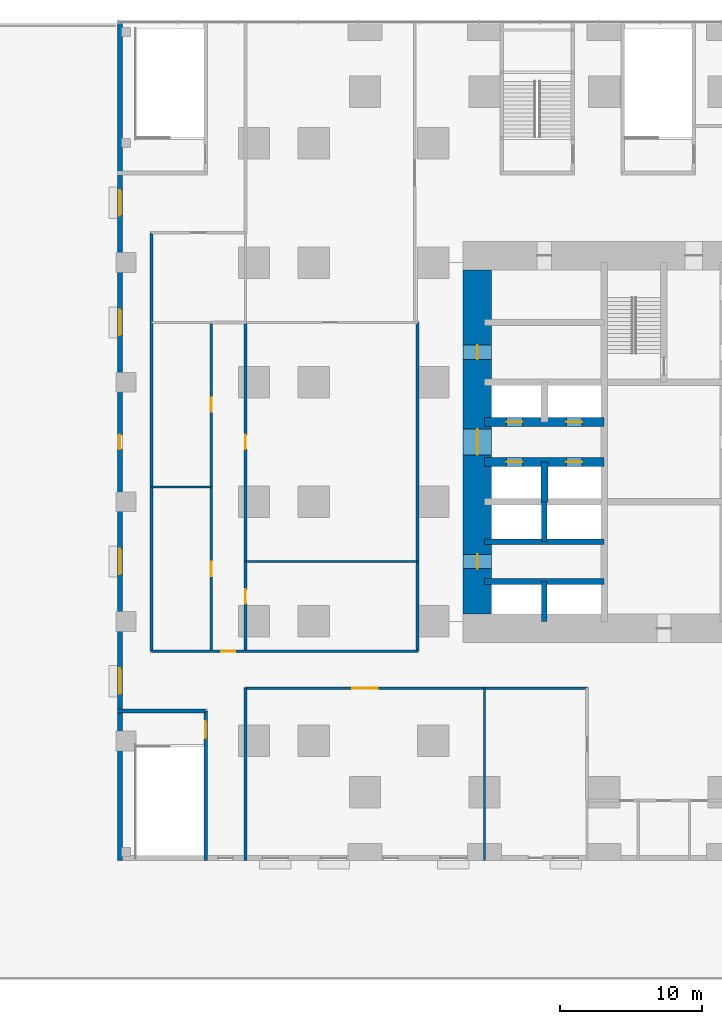
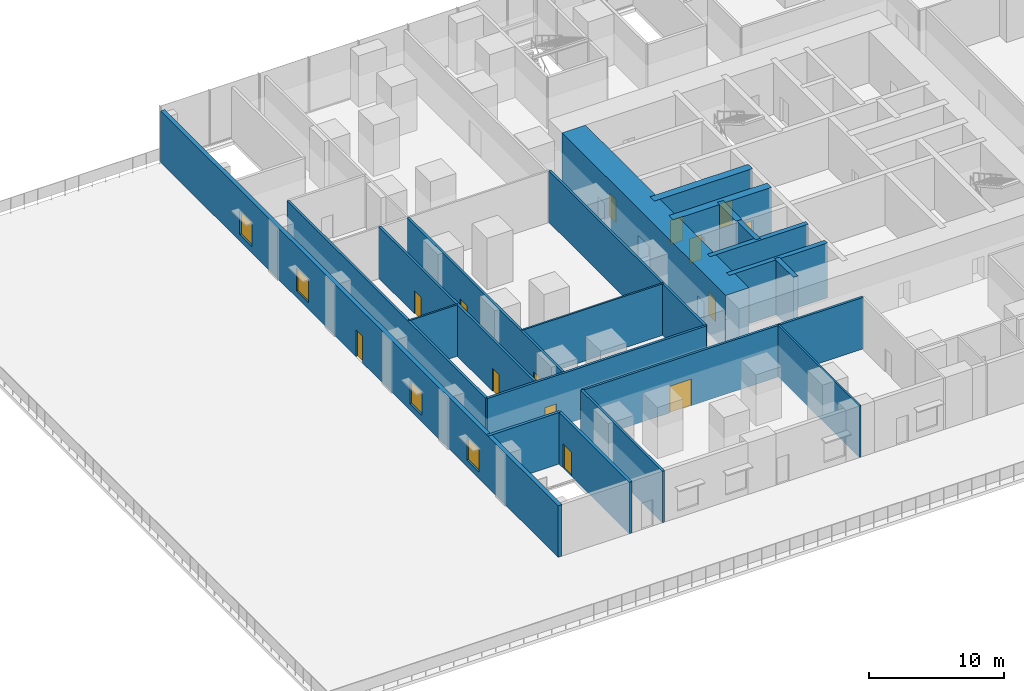
# One storey, part 11 of 18: 21 walls, 15 doors, 4 windows, 19 openings.
"""IFC4 building model written with IfcOpenShell, lengths in metres."""

from ifc_helpers import new_model, si_unit, direction, frame, frame_2d, origin, place, context, subcontext, project, spatial, rectangle, extrude, material, layer, layer_set, type_object, element, fill, save


model = new_model("IFC4")

# Units and contexts
model_context = context("Model", 3, precision=1e-05, world=origin(), true_north=direction((0.0, 1.0)))
body_context = subcontext(model_context, "Body", "Model", "MODEL_VIEW")
ifc_project = project(units=[si_unit("LENGTHUNIT", "METRE"), si_unit("AREAUNIT", "SQUARE_METRE"), si_unit("VOLUMEUNIT", "CUBIC_METRE"), si_unit("PLANEANGLEUNIT", "RADIAN"), si_unit("MASSUNIT", "GRAM", prefix="KILO")], contexts=[model_context])

# Site, building, storey
site_placement = place(None, origin())
site = spatial("IfcSite", under=ifc_project, at=site_placement, CompositionType="ELEMENT")
building_placement = place(site_placement, origin())
building = spatial("IfcBuilding", under=site, at=building_placement, Name="Dunama Terrace Hotel", CompositionType="ELEMENT")
storey_placement = place(building_placement, frame((0.0, 0.0, 17.0)))
storey = spatial("IfcBuildingStorey", under=building, at=storey_placement, Name="L03", CompositionType="ELEMENT", Elevation=17.0)

# Walls
ifc_material_1 = material(Name="Concrete C50/60", Category="concrete")
ifc_layer_1 = layer(ifc_material_1, 0.39990234375)
ifc_layer_set_1 = layer_set([ifc_layer_1], Name="Core inner wall 400")
wall_type_1 = type_object("IfcWallType", Name="Core inner wall 400", PredefinedType="SHEAR", material=ifc_layer_set_1)
for number, where, z_axis, x_axis, name in (
    (1, (21.0, 16.800048828125, -0.300048828125), (0.0, 0.0, 1.0), (0.0, 1.0, 0.0), "Core inner wall 400 L03"),
    (2, (21.0, 22.39990234375, -0.300048828125), (0.0, 0.0, 1.0), (0.0, 1.0, 0.0), "Core inner wall 400 L03"),
):
    element("IfcWall", number, at=place(storey_placement, frame(where, z_axis=z_axis, x_axis=x_axis)), inside=storey, type_object=wall_type_1, Name=name, PredefinedType="SHEAR", context=body_context, shape_type="SweptSolid", body=[
        extrude(rectangle(XDim=2.800048828125, YDim=0.39990234375, at=frame_2d((1.39990234375, 0.0))), origin(), (0.0, 0.0, 1.0), 4.949951171875),
    ])
for number, where, z_axis, x_axis, name in (
    (3, (16.800048828125, 19.60009765625, -0.300048828125), (0.0, 0.0, 1.0), (1.0, 0.0, 0.0), "Core inner wall 400 L03"),
    (4, (16.800048828125, 22.39990234375, -0.300048828125), (0.0, 0.0, 1.0), (1.0, 0.0, 0.0), "Core inner wall 400 L03"),
):
    element("IfcWall", number, at=place(storey_placement, frame(where, z_axis=z_axis, x_axis=x_axis)), inside=storey, type_object=wall_type_1, Name=name, PredefinedType="SHEAR", context=body_context, shape_type="SweptSolid", body=[
        extrude(rectangle(XDim=8.39990234375, YDim=0.39990234375, at=frame_2d((4.199951171875, 0.0))), origin(), (0.0, 0.0, 1.0), 4.949951171875),
    ])
ifc_material_2 = material(Name="Concrete C50/60", Category="concrete")
ifc_layer_2 = layer(ifc_material_2, 0.5)
ifc_layer_set_2 = layer_set([ifc_layer_2], Name="Core inner wall 500")
wall_type_2 = type_object("IfcWallType", Name="Core inner wall 500", PredefinedType="SHEAR", material=ifc_layer_set_2)
wall_1_placement = place(storey_placement, frame((21.0, 25.199951171875, -0.300048828125), z_axis=(0.0, 0.0, 1.0), x_axis=(0.0, 1.0, 0.0)))
element("IfcWall", 5, at=wall_1_placement, inside=storey, type_object=wall_type_2, Name="Core inner wall 500 L03", PredefinedType="SHEAR", context=body_context, shape_type="SweptSolid", body=[
    extrude(rectangle(XDim=2.800048828125, YDim=0.5, at=frame_2d((1.39990234375, 0.0))), origin(), (0.0, 0.0, 1.0), 4.949951171875),
])

# Wall, openings, doors
ifc_material_3 = material(Name="Concrete C50/60", Category="concrete")
ifc_layer_3 = layer(ifc_material_3, 0.64990234375)
ifc_layer_set_3 = layer_set([ifc_layer_3], Name="Core inner wall 650")
wall_type_3 = type_object("IfcWallType", Name="Core inner wall 650", PredefinedType="SHEAR", material=ifc_layer_set_3)
wall_2_placement = place(storey_placement, frame((16.800048828125, 28.0, -0.300048828125), z_axis=(0.0, 0.0, 1.0), x_axis=(1.0, 0.0, 0.0)))
wall_2 = element("IfcWall", 6, at=wall_2_placement, inside=storey, type_object=wall_type_3, Name="Core inner wall 650 L03", PredefinedType="SHEAR", context=body_context, shape_type="SweptSolid", body=[
    extrude(rectangle(XDim=8.39990234375, YDim=0.64990234375, at=frame_2d((4.199951171875, 0.0))), origin(), (0.0, 0.0, 1.0), 4.949951171875),
])
opening_1_placement = place(wall_2_placement, frame((1.550048828125, 0.0, 0.300048828125)))
opening_1 = element("IfcOpeningElement", 7, at=opening_1_placement, cuts=wall_2, Name="Opening L03-012", PredefinedType="OPENING", context=body_context, shape_type="SweptSolid", body=[
    extrude(rectangle(XDim=1.10009765625, YDim=2.199951171875, at=frame_2d((0.550048828125, 1.10009765625))), frame((0.0, 0.3349609375, 0.0), z_axis=(0.0, -1.0, 0.0), x_axis=(1.0, 0.0, 0.0)), (0.0, 0.0, 1.0), 0.669921875),
])
opening_2_placement = place(wall_2_placement, frame((5.75, 0.0, 0.300048828125)))
opening_2 = element("IfcOpeningElement", 8, at=opening_2_placement, cuts=wall_2, Name="Opening L03-013", PredefinedType="OPENING", context=body_context, shape_type="SweptSolid", body=[
    extrude(rectangle(XDim=1.10009765625, YDim=2.199951171875, at=frame_2d((0.550048828125, 1.10009765625))), frame((0.0, 0.3349609375, 0.0), z_axis=(0.0, -1.0, 0.0), x_axis=(1.0, 0.0, 0.0)), (0.0, 0.0, 1.0), 0.669921875),
])
ifc_material_4 = material(Name="Stainless steel lift door", Category="steel")
door_type_1 = type_object("IfcDoorType", Name="Lift landing door 1100", OperationType="DOUBLE_DOOR_SLIDING", PredefinedType="DOOR", material=ifc_material_4)
door_1_placement = place(opening_1_placement, origin())
door_1 = element("IfcDoor", 9, at=door_1_placement, inside=storey, type_object=door_type_1, Name="Landing door PA1 L03-012, type LD1", OperationType="DOUBLE_DOOR_SLIDING", OverallHeight=2.199951171875, OverallWidth=1.10009765625, PredefinedType="DOOR", context=body_context, shape_type="SweptSolid", body=[
    extrude(rectangle(XDim=1.10009765625, YDim=2.199951171875, at=frame_2d((0.550048828125, 1.10009765625))), frame((0.0, 0.02490234375, 0.0), z_axis=(0.0, -1.0, 0.0), x_axis=(1.0, 0.0, 0.0)), (0.0, 0.0, 1.0), 0.050048828125),
])
fill(opening_1, door_1)
door_2_placement = place(opening_2_placement, origin())
door_2 = element("IfcDoor", 10, at=door_2_placement, inside=storey, type_object=door_type_1, Name="Landing door PA2 L03-013, type LD1", OperationType="DOUBLE_DOOR_SLIDING", OverallHeight=2.199951171875, OverallWidth=1.10009765625, PredefinedType="DOOR", context=body_context, shape_type="SweptSolid", body=[
    extrude(rectangle(XDim=1.10009765625, YDim=2.199951171875, at=frame_2d((0.550048828125, 1.10009765625))), frame((0.0, 0.02490234375, 0.0), z_axis=(0.0, -1.0, 0.0), x_axis=(1.0, 0.0, 0.0)), (0.0, 0.0, 1.0), 0.050048828125),
])
fill(opening_2, door_2)

wall_3_placement = place(storey_placement, frame((16.800048828125, 30.800048828125, -0.300048828125), z_axis=(0.0, 0.0, 1.0), x_axis=(1.0, 0.0, 0.0)))
wall_3 = element("IfcWall", 11, at=wall_3_placement, inside=storey, type_object=wall_type_3, Name="Core inner wall 650 L03", PredefinedType="SHEAR", context=body_context, shape_type="SweptSolid", body=[
    extrude(rectangle(XDim=8.39990234375, YDim=0.64990234375, at=frame_2d((4.199951171875, 0.0))), origin(), (0.0, 0.0, 1.0), 4.949951171875),
])
opening_3_placement = place(wall_3_placement, frame((1.550048828125, 0.0, 0.300048828125)))
opening_3 = element("IfcOpeningElement", 12, at=opening_3_placement, cuts=wall_3, Name="Opening L03-014", PredefinedType="OPENING", context=body_context, shape_type="SweptSolid", body=[
    extrude(rectangle(XDim=1.10009765625, YDim=2.199951171875, at=frame_2d((0.550048828125, 1.10009765625))), frame((0.0, 0.3349609375, 0.0), z_axis=(0.0, -1.0, 0.0), x_axis=(1.0, 0.0, 0.0)), (0.0, 0.0, 1.0), 0.669921875),
])
opening_4_placement = place(wall_3_placement, frame((5.75, 0.0, 0.300048828125)))
opening_4 = element("IfcOpeningElement", 13, at=opening_4_placement, cuts=wall_3, Name="Opening L03-015", PredefinedType="OPENING", context=body_context, shape_type="SweptSolid", body=[
    extrude(rectangle(XDim=1.10009765625, YDim=2.199951171875, at=frame_2d((0.550048828125, 1.10009765625))), frame((0.0, 0.3349609375, 0.0), z_axis=(0.0, -1.0, 0.0), x_axis=(1.0, 0.0, 0.0)), (0.0, 0.0, 1.0), 0.669921875),
])
door_3_placement = place(opening_3_placement, origin())
door_3 = element("IfcDoor", 14, at=door_3_placement, inside=storey, type_object=door_type_1, Name="Landing door PA3 L03-014, type LD1", OperationType="DOUBLE_DOOR_SLIDING", OverallHeight=2.199951171875, OverallWidth=1.10009765625, PredefinedType="DOOR", context=body_context, shape_type="SweptSolid", body=[
    extrude(rectangle(XDim=1.10009765625, YDim=2.199951171875, at=frame_2d((0.550048828125, 1.10009765625))), frame((0.0, 0.02490234375, 0.0), z_axis=(0.0, -1.0, 0.0), x_axis=(1.0, 0.0, 0.0)), (0.0, 0.0, 1.0), 0.050048828125),
])
fill(opening_3, door_3)
door_4_placement = place(opening_4_placement, origin())
door_4 = element("IfcDoor", 15, at=door_4_placement, inside=storey, type_object=door_type_1, Name="Landing door PA4 L03-015, type LD1", OperationType="DOUBLE_DOOR_SLIDING", OverallHeight=2.199951171875, OverallWidth=1.10009765625, PredefinedType="DOOR", context=body_context, shape_type="SweptSolid", body=[
    extrude(rectangle(XDim=1.10009765625, YDim=2.199951171875, at=frame_2d((0.550048828125, 1.10009765625))), frame((0.0, 0.02490234375, 0.0), z_axis=(0.0, -1.0, 0.0), x_axis=(1.0, 0.0, 0.0)), (0.0, 0.0, 1.0), 0.050048828125),
])
fill(opening_4, door_4)

ifc_material_5 = material(Name="Concrete C60/75", Category="concrete")
ifc_layer_4 = layer(ifc_material_5, 2.0)
ifc_layer_set_4 = layer_set([ifc_layer_4], Name="Core wall 2000")
wall_type_4 = type_object("IfcWallType", Name="Core wall 2000", PredefinedType="SHEAR", material=ifc_layer_set_4)
wall_4_placement = place(storey_placement, frame((16.300048828125, 41.5, -0.300048828125), z_axis=(0.0, 0.0, 1.0), x_axis=(0.0, -1.0, 0.0)))
wall_4 = element("IfcWall", 16, at=wall_4_placement, inside=storey, type_object=wall_type_4, Name="Core wall west L03", PredefinedType="SHEAR", context=body_context, shape_type="SweptSolid", body=[
    extrude(rectangle(XDim=24.199951171875, YDim=2.0, at=frame_2d((12.10009765625, 0.0))), origin(), (0.0, 0.0, 1.0), 4.949951171875),
])
opening_5_placement = place(wall_4_placement, frame((11.199951171875, 0.0, 0.300048828125)))
opening_5 = element("IfcOpeningElement", 17, at=opening_5_placement, cuts=wall_4, Name="Opening L03-018", PredefinedType="OPENING", context=body_context, shape_type="SweptSolid", body=[
    extrude(rectangle(XDim=1.800048828125, YDim=2.199951171875, at=frame_2d((0.89990234375, 1.10009765625))), frame((0.0, 1.010009765625, 0.0), z_axis=(0.0, -1.0, 0.0), x_axis=(1.0, 0.0, 0.0)), (0.0, 0.0, 1.0), 2.02001953125),
])
opening_6_placement = place(wall_4_placement, frame((20.0, 0.0, 0.300048828125)))
opening_6 = element("IfcOpeningElement", 18, at=opening_6_placement, cuts=wall_4, Name="Opening L03-019", PredefinedType="OPENING", context=body_context, shape_type="SweptSolid", body=[
    extrude(rectangle(XDim=1.0, YDim=2.10009765625, at=frame_2d((0.5, 1.050048828125))), frame((0.0, 1.010009765625, 0.0), z_axis=(0.0, -1.0, 0.0), x_axis=(1.0, 0.0, 0.0)), (0.0, 0.0, 1.0), 2.02001953125),
])
opening_7_placement = place(wall_4_placement, frame((5.300048828125, 0.0, 0.300048828125)))
opening_7 = element("IfcOpeningElement", 19, at=opening_7_placement, cuts=wall_4, Name="Opening L03-020", PredefinedType="OPENING", context=body_context, shape_type="SweptSolid", body=[
    extrude(rectangle(XDim=1.0, YDim=2.10009765625, at=frame_2d((0.5, 1.050048828125))), frame((0.0, 1.010009765625, 0.0), z_axis=(0.0, -1.0, 0.0), x_axis=(1.0, 0.0, 0.0)), (0.0, 0.0, 1.0), 2.02001953125),
])
ifc_material_6 = material(Name="Timber door with steel frame", Category="steel")
door_type_2 = type_object("IfcDoorType", Name="Lift lobby double door 1800", OperationType="DOUBLE_DOOR_DOUBLE_SWING", PredefinedType="DOOR", material=ifc_material_6)
door_5_placement = place(opening_5_placement, origin())
door_5 = element("IfcDoor", 20, at=door_5_placement, inside=storey, type_object=door_type_2, Name="Door to lift lobby L03-018, type D3", OperationType="DOUBLE_DOOR_DOUBLE_SWING", OverallHeight=2.199951171875, OverallWidth=1.800048828125, PredefinedType="DOOR", context=body_context, shape_type="SweptSolid", body=[
    extrude(rectangle(XDim=1.800048828125, YDim=2.199951171875, at=frame_2d((0.89990234375, 1.10009765625))), frame((0.0, 0.02490234375, 0.0), z_axis=(0.0, -1.0, 0.0), x_axis=(1.0, 0.0, 0.0)), (0.0, 0.0, 1.0), 0.050048828125),
])
fill(opening_5, door_5)
ifc_material_7 = material(Name="Timber door with steel frame", Category="steel")
door_type_3 = type_object("IfcDoorType", Name="Service door 1000", OperationType="SINGLE_SWING_LEFT", PredefinedType="DOOR", material=ifc_material_7)
door_6_placement = place(opening_6_placement, origin())
door_6 = element("IfcDoor", 21, at=door_6_placement, inside=storey, type_object=door_type_3, Name="Door to service lobby L03-019, type D7", OperationType="SINGLE_SWING_LEFT", OverallHeight=2.10009765625, OverallWidth=1.0, PredefinedType="DOOR", context=body_context, shape_type="SweptSolid", body=[
    extrude(rectangle(XDim=1.0, YDim=2.10009765625, at=frame_2d((0.5, 1.050048828125))), frame((0.0, 0.02490234375, 0.0), z_axis=(0.0, -1.0, 0.0), x_axis=(1.0, 0.0, 0.0)), (0.0, 0.0, 1.0), 0.050048828125),
])
fill(opening_6, door_6)
door_7_placement = place(opening_7_placement, origin())
door_7 = element("IfcDoor", 22, at=door_7_placement, inside=storey, type_object=door_type_3, Name="Door to electrical room L03-020, type D7", OperationType="SINGLE_SWING_RIGHT", OverallHeight=2.10009765625, OverallWidth=1.0, PredefinedType="DOOR", context=body_context, shape_type="SweptSolid", body=[
    extrude(rectangle(XDim=1.0, YDim=2.10009765625, at=frame_2d((0.5, 1.050048828125))), frame((0.0, 0.02490234375, 0.0), z_axis=(0.0, -1.0, 0.0), x_axis=(1.0, 0.0, 0.0)), (0.0, 0.0, 1.0), 0.050048828125),
])
fill(opening_7, door_7)

# Wall
ifc_material_8 = material(Name="Concrete blockwork", Category="masonry")
ifc_layer_5 = layer(ifc_material_8, 0.199951171875)
ifc_layer_set_5 = layer_set([ifc_layer_5], Name="Corridor partition 200")
wall_type_5 = type_object("IfcWallType", Name="Corridor partition 200", PredefinedType="PARTITIONING", material=ifc_layer_set_5)
wall_5_placement = place(storey_placement, frame((-6.60009765625, 14.699951171875, 0.0), z_axis=(0.0, 0.0, 1.0), x_axis=(0.0, 1.0, 0.0)))
element("IfcWall", 23, at=wall_5_placement, inside=storey, type_object=wall_type_5, Name="Corridor partition 200 L03", PredefinedType="PARTITIONING", context=body_context, shape_type="SweptSolid", body=[
    extrude(rectangle(XDim=29.400146484375, YDim=0.199951171875, at=frame_2d((14.7001953125, 0.0))), origin(), (0.0, 0.0, 1.0), 4.64990234375),
])

# Wall, openings, doors
wall_6_placement = place(storey_placement, frame((-2.39990234375, 14.699951171875, 0.0), z_axis=(0.0, 0.0, 1.0), x_axis=(0.0, 1.0, 0.0)))
wall_6 = element("IfcWall", 24, at=wall_6_placement, inside=storey, type_object=wall_type_5, Name="Corridor partition 200 L03", PredefinedType="PARTITIONING", context=body_context, shape_type="SweptSolid", body=[
    extrude(rectangle(XDim=23.10009765625, YDim=0.199951171875, at=frame_2d((11.550048828125, 0.0))), origin(), (0.0, 0.0, 1.0), 4.64990234375),
])
opening_8_placement = place(wall_6_placement, frame((5.27490234375, 0.0, 0.0)))
opening_8 = element("IfcOpeningElement", 25, at=opening_8_placement, cuts=wall_6, Name="Opening L03-035", PredefinedType="OPENING", context=body_context, shape_type="SweptSolid", body=[
    extrude(rectangle(XDim=1.0, YDim=2.10009765625, at=frame_2d((0.5, 1.050048828125))), frame((0.0, 0.10986328125, 0.0), z_axis=(0.0, -1.0, 0.0), x_axis=(1.0, 0.0, 0.0)), (0.0, 0.0, 1.0), 0.219970703125),
])
opening_9_placement = place(wall_6_placement, frame((16.824951171875, 0.0, 0.0)))
opening_9 = element("IfcOpeningElement", 26, at=opening_9_placement, cuts=wall_6, Name="Opening L03-036", PredefinedType="OPENING", context=body_context, shape_type="SweptSolid", body=[
    extrude(rectangle(XDim=1.0, YDim=2.10009765625, at=frame_2d((0.5, 1.050048828125))), frame((0.0, 0.10986328125, 0.0), z_axis=(0.0, -1.0, 0.0), x_axis=(1.0, 0.0, 0.0)), (0.0, 0.0, 1.0), 0.219970703125),
])
door_8_placement = place(opening_8_placement, origin())
door_8 = element("IfcDoor", 27, at=door_8_placement, inside=storey, type_object=door_type_3, Name="Door to kitchen dry store L03-035, type D7", OperationType="SINGLE_SWING_LEFT", OverallHeight=2.10009765625, OverallWidth=1.0, PredefinedType="DOOR", context=body_context, shape_type="SweptSolid", body=[
    extrude(rectangle(XDim=1.0, YDim=2.10009765625, at=frame_2d((0.5, 1.050048828125))), frame((0.0, 0.02490234375, 0.0), z_axis=(0.0, -1.0, 0.0), x_axis=(1.0, 0.0, 0.0)), (0.0, 0.0, 1.0), 0.050048828125),
])
fill(opening_8, door_8)
door_9_placement = place(opening_9_placement, origin())
door_9 = element("IfcDoor", 28, at=door_9_placement, inside=storey, type_object=door_type_3, Name="Door to dish and pot wash room L03-036, type D7", OperationType="SINGLE_SWING_RIGHT", OverallHeight=2.10009765625, OverallWidth=1.0, PredefinedType="DOOR", context=body_context, shape_type="SweptSolid", body=[
    extrude(rectangle(XDim=1.0, YDim=2.10009765625, at=frame_2d((0.5, 1.050048828125))), frame((0.0, 0.02490234375, 0.0), z_axis=(0.0, -1.0, 0.0), x_axis=(1.0, 0.0, 0.0)), (0.0, 0.0, 1.0), 0.050048828125),
])
fill(opening_9, door_9)

# Wall
wall_7_placement = place(storey_placement, frame((0.0, 0.0, 0.0), z_axis=(0.0, 0.0, 1.0), x_axis=(0.0, 1.0, 0.0)))
element("IfcWall", 29, at=wall_7_placement, inside=storey, type_object=wall_type_5, Name="Corridor partition 200 L03", PredefinedType="PARTITIONING", context=body_context, shape_type="SweptSolid", body=[
    extrude(rectangle(XDim=12.10009765625, YDim=0.199951171875, at=frame_2d((6.050048828125, 0.0))), origin(), (0.0, 0.0, 1.0), 4.64990234375),
])

# Wall, openings, doors
wall_8_placement = place(storey_placement, frame((0.0, 14.699951171875, 0.0), z_axis=(0.0, 0.0, 1.0), x_axis=(0.0, 1.0, 0.0)))
wall_8 = element("IfcWall", 30, at=wall_8_placement, inside=storey, type_object=wall_type_5, Name="Corridor partition 200 L03", PredefinedType="PARTITIONING", context=body_context, shape_type="SweptSolid", body=[
    extrude(rectangle(XDim=23.10009765625, YDim=0.199951171875, at=frame_2d((11.550048828125, 0.0))), origin(), (0.0, 0.0, 1.0), 4.64990234375),
])
opening_10_placement = place(wall_8_placement, frame((14.199951171875, 0.0, 0.0)))
opening_10 = element("IfcOpeningElement", 31, at=opening_10_placement, cuts=wall_8, Name="Opening L03-032", PredefinedType="OPENING", context=body_context, shape_type="SweptSolid", body=[
    extrude(rectangle(XDim=1.0, YDim=2.10009765625, at=frame_2d((0.5, 1.050048828125))), frame((0.0, 0.10986328125, 0.0), z_axis=(0.0, -1.0, 0.0), x_axis=(1.0, 0.0, 0.0)), (0.0, 0.0, 1.0), 0.219970703125),
])
opening_11_placement = place(wall_8_placement, frame((3.35009765625, 0.0, 0.0)))
opening_11 = element("IfcOpeningElement", 32, at=opening_11_placement, cuts=wall_8, Name="Opening L03-033", PredefinedType="OPENING", context=body_context, shape_type="SweptSolid", body=[
    extrude(rectangle(XDim=1.0, YDim=2.10009765625, at=frame_2d((0.5, 1.050048828125))), frame((0.0, 0.10986328125, 0.0), z_axis=(0.0, -1.0, 0.0), x_axis=(1.0, 0.0, 0.0)), (0.0, 0.0, 1.0), 0.219970703125),
])
door_10_placement = place(opening_10_placement, frame((1.0, 0.0, 0.0), z_axis=(0.0, 0.0, 1.0), x_axis=(-1.0, 0.0, 0.0)))
door_10 = element("IfcDoor", 33, at=door_10_placement, inside=storey, type_object=door_type_3, Name="Door to main kitchen L03-032, type D7", OperationType="SINGLE_SWING_RIGHT", OverallHeight=2.10009765625, OverallWidth=1.0, PredefinedType="DOOR", context=body_context, shape_type="SweptSolid", body=[
    extrude(rectangle(XDim=1.0, YDim=2.10009765625, at=frame_2d((0.5, 1.050048828125))), frame((0.0, 0.025146484375, 0.0), z_axis=(0.0, -1.0, 0.0), x_axis=(1.0, 0.0, 0.0)), (0.0, 0.0, 1.0), 0.050048828125),
])
fill(opening_10, door_10)
door_11_placement = place(opening_11_placement, frame((1.0, 0.0, 0.0), z_axis=(0.0, 0.0, 1.0), x_axis=(-1.0, 0.0, 0.0)))
door_11 = element("IfcDoor", 34, at=door_11_placement, inside=storey, type_object=door_type_3, Name="Door to pastry kitchen L03-033, type D7", OperationType="SINGLE_SWING_RIGHT", OverallHeight=2.10009765625, OverallWidth=1.0, PredefinedType="DOOR", context=body_context, shape_type="SweptSolid", body=[
    extrude(rectangle(XDim=1.0, YDim=2.10009765625, at=frame_2d((0.5, 1.050048828125))), frame((0.0, 0.025146484375, 0.0), z_axis=(0.0, -1.0, 0.0), x_axis=(1.0, 0.0, 0.0)), (0.0, 0.0, 1.0), 0.050048828125),
])
fill(opening_11, door_11)

# Wall
wall_9_placement = place(storey_placement, frame((12.10009765625, 14.699951171875, 0.0), z_axis=(0.0, 0.0, 1.0), x_axis=(0.0, 1.0, 0.0)))
element("IfcWall", 35, at=wall_9_placement, inside=storey, type_object=wall_type_5, Name="Corridor partition 200 L03", PredefinedType="PARTITIONING", context=body_context, shape_type="SweptSolid", body=[
    extrude(rectangle(XDim=23.10009765625, YDim=0.199951171875, at=frame_2d((11.550048828125, 0.0))), origin(), (0.0, 0.0, 1.0), 4.64990234375),
])

# Wall, opening, door
wall_10_placement = place(storey_placement, frame((0.0, 12.10009765625, 0.0), z_axis=(0.0, 0.0, 1.0), x_axis=(1.0, 0.0, 0.0)))
wall_10 = element("IfcWall", 36, at=wall_10_placement, inside=storey, type_object=wall_type_5, Name="Corridor partition 200 L03", PredefinedType="PARTITIONING", context=body_context, shape_type="SweptSolid", body=[
    extrude(rectangle(XDim=24.0, YDim=0.199951171875, at=frame_2d((12.0, 0.0))), origin(), (0.0, 0.0, 1.0), 4.64990234375),
])
opening_12_placement = place(wall_10_placement, frame((7.5, 0.0, 0.0)))
opening_12 = element("IfcOpeningElement", 37, at=opening_12_placement, cuts=wall_10, Name="Opening L03-037", PredefinedType="OPENING", context=body_context, shape_type="SweptSolid", body=[
    extrude(rectangle(XDim=1.800048828125, YDim=2.39990234375, at=frame_2d((0.89990234375, 1.199951171875))), frame((0.0, 0.10986328125, 0.0), z_axis=(0.0, -1.0, 0.0), x_axis=(1.0, 0.0, 0.0)), (0.0, 0.0, 1.0), 0.219970703125),
])
ifc_material_9 = material(Name="Aluminium-framed glazed door", Category="aluminium")
door_type_4 = type_object("IfcDoorType", Name="Glazed double door 1800", OperationType="DOUBLE_DOOR_DOUBLE_SWING", PredefinedType="DOOR", material=ifc_material_9)
door_12_placement = place(opening_12_placement, origin())
door_12 = element("IfcDoor", 38, at=door_12_placement, inside=storey, type_object=door_type_4, Name="Door to private dining room L03-037, type D8", OperationType="DOUBLE_DOOR_DOUBLE_SWING", OverallHeight=2.39990234375, OverallWidth=1.800048828125, PredefinedType="DOOR", context=body_context, shape_type="SweptSolid", body=[
    extrude(rectangle(XDim=1.800048828125, YDim=2.39990234375, at=frame_2d((0.89990234375, 1.199951171875))), frame((0.0, 0.02490234375, 0.0), z_axis=(0.0, -1.0, 0.0), x_axis=(1.0, 0.0, 0.0)), (0.0, 0.0, 1.0), 0.050048828125),
])
fill(opening_12, door_12)

wall_11_placement = place(storey_placement, frame((-6.60009765625, 14.699951171875, 0.0), z_axis=(0.0, 0.0, 1.0), x_axis=(1.0, 0.0, 0.0)))
wall_11 = element("IfcWall", 39, at=wall_11_placement, inside=storey, type_object=wall_type_5, Name="Corridor partition 200 L03", PredefinedType="PARTITIONING", context=body_context, shape_type="SweptSolid", body=[
    extrude(rectangle(XDim=18.7001953125, YDim=0.199951171875, at=frame_2d((9.35009765625, 0.0))), origin(), (0.0, 0.0, 1.0), 4.64990234375),
])
opening_13_placement = place(wall_11_placement, frame((4.89990234375, 0.0, 0.0)))
opening_13 = element("IfcOpeningElement", 40, at=opening_13_placement, cuts=wall_11, Name="Opening L03-034", PredefinedType="OPENING", context=body_context, shape_type="SweptSolid", body=[
    extrude(rectangle(XDim=1.0, YDim=2.10009765625, at=frame_2d((0.5, 1.050048828125))), frame((0.0, 0.10986328125, 0.0), z_axis=(0.0, -1.0, 0.0), x_axis=(1.0, 0.0, 0.0)), (0.0, 0.0, 1.0), 0.219970703125),
])
door_13_placement = place(opening_13_placement, frame((1.0, 0.0, 0.0), z_axis=(0.0, 0.0, 1.0), x_axis=(-1.0, 0.0, 0.0)))
door_13 = element("IfcDoor", 41, at=door_13_placement, inside=storey, type_object=door_type_3, Name="Door to kitchen service corridor L03-034, type D7", OperationType="SINGLE_SWING_LEFT", OverallHeight=2.10009765625, OverallWidth=1.0, PredefinedType="DOOR", context=body_context, shape_type="SweptSolid", body=[
    extrude(rectangle(XDim=1.0, YDim=2.10009765625, at=frame_2d((0.5, 1.050048828125))), frame((0.0, 0.025146484375, 0.0), z_axis=(0.0, -1.0, 0.0), x_axis=(1.0, 0.0, 0.0)), (0.0, 0.0, 1.0), 0.050048828125),
])
fill(opening_13, door_13)

# Wall, openings, door, windows
ifc_material_10 = material(Name="Granite-faced concrete blockwork", Category="masonry")
ifc_layer_6 = layer(ifc_material_10, 0.35009765625)
ifc_layer_set_6 = layer_set([ifc_layer_6], Name="Podium external wall 350")
wall_type_6 = type_object("IfcWallType", Name="Podium external wall 350", PredefinedType="SOLIDWALL", material=ifc_layer_set_6)
wall_12_placement = place(storey_placement, frame((-8.824951171875, 58.800048828125, 0.0), z_axis=(0.0, 0.0, 1.0), x_axis=(0.0, -1.0, 0.0)))
wall_12 = element("IfcWall", 42, at=wall_12_placement, inside=storey, type_object=wall_type_6, Name="Podium external wall 350 L03", PredefinedType="SOLIDWALL", context=body_context, shape_type="SweptSolid", body=[
    extrude(rectangle(XDim=58.800048828125, YDim=0.35009765625, at=frame_2d((29.39990234375, 0.0))), origin(), (0.0, 0.0, 1.0), 4.64990234375),
])
opening_14_placement = place(wall_12_placement, frame((28.89990234375, 0.0, 0.0)))
opening_14 = element("IfcOpeningElement", 43, at=opening_14_placement, cuts=wall_12, Name="Opening L03-005", PredefinedType="OPENING", context=body_context, shape_type="SweptSolid", body=[
    extrude(rectangle(XDim=1.0, YDim=2.39990234375, at=frame_2d((0.5, 1.199951171875))), frame((0.0, 0.18505859375, 0.0), z_axis=(0.0, -1.0, 0.0), x_axis=(1.0, 0.0, 0.0)), (0.0, 0.0, 1.0), 0.3701171875),
])
opening_15_placement = place(wall_12_placement, frame((45.300048828125, 0.0, 0.60009765625)))
opening_15 = element("IfcOpeningElement", 44, at=opening_15_placement, cuts=wall_12, Name="Opening W2", PredefinedType="OPENING", context=body_context, shape_type="SweptSolid", body=[
    extrude(rectangle(XDim=1.800048828125, YDim=2.10009765625, at=frame_2d((0.89990234375, 1.050048828125))), frame((0.0, 0.18505859375, 0.0), z_axis=(0.0, -1.0, 0.0), x_axis=(1.0, 0.0, 0.0)), (0.0, 0.0, 1.0), 0.3701171875),
])
opening_16_placement = place(wall_12_placement, frame((36.89990234375, 0.0, 0.60009765625)))
opening_16 = element("IfcOpeningElement", 45, at=opening_16_placement, cuts=wall_12, Name="Opening W2", PredefinedType="OPENING", context=body_context, shape_type="SweptSolid", body=[
    extrude(rectangle(XDim=1.800048828125, YDim=2.10009765625, at=frame_2d((0.89990234375, 1.050048828125))), frame((0.0, 0.18505859375, 0.0), z_axis=(0.0, -1.0, 0.0), x_axis=(1.0, 0.0, 0.0)), (0.0, 0.0, 1.0), 0.3701171875),
])
opening_17_placement = place(wall_12_placement, frame((20.10009765625, 0.0, 0.60009765625)))
opening_17 = element("IfcOpeningElement", 46, at=opening_17_placement, cuts=wall_12, Name="Opening W2", PredefinedType="OPENING", context=body_context, shape_type="SweptSolid", body=[
    extrude(rectangle(XDim=1.800048828125, YDim=2.10009765625, at=frame_2d((0.89990234375, 1.050048828125))), frame((0.0, 0.18505859375, 0.0), z_axis=(0.0, -1.0, 0.0), x_axis=(1.0, 0.0, 0.0)), (0.0, 0.0, 1.0), 0.3701171875),
])
opening_18_placement = place(wall_12_placement, frame((11.699951171875, 0.0, 0.60009765625)))
opening_18 = element("IfcOpeningElement", 47, at=opening_18_placement, cuts=wall_12, Name="Opening W2", PredefinedType="OPENING", context=body_context, shape_type="SweptSolid", body=[
    extrude(rectangle(XDim=1.800048828125, YDim=2.10009765625, at=frame_2d((0.89990234375, 1.050048828125))), frame((0.0, 0.18505859375, 0.0), z_axis=(0.0, -1.0, 0.0), x_axis=(1.0, 0.0, 0.0)), (0.0, 0.0, 1.0), 0.3701171875),
])
ifc_material_11 = material(Name="Aluminium-framed glazed door", Category="aluminium")
door_type_5 = type_object("IfcDoorType", Name="Terrace door 1000", OperationType="SINGLE_SWING_LEFT", PredefinedType="DOOR", material=ifc_material_11)
door_14_placement = place(opening_14_placement, frame((1.0, 0.0, 0.0), z_axis=(0.0, 0.0, 1.0), x_axis=(-1.0, 0.0, 0.0)))
door_14 = element("IfcDoor", 48, at=door_14_placement, inside=storey, type_object=door_type_5, Name="Terrace door Podium corridor L03-005, type D12", OperationType="SINGLE_SWING_RIGHT", OverallHeight=2.39990234375, OverallWidth=1.0, PredefinedType="DOOR", context=body_context, shape_type="SweptSolid", body=[
    extrude(rectangle(XDim=1.0, YDim=2.39990234375, at=frame_2d((0.5, 1.199951171875))), frame((0.0, 0.025146484375, 0.0), z_axis=(0.0, -1.0, 0.0), x_axis=(1.0, 0.0, 0.0)), (0.0, 0.0, 1.0), 0.050048828125),
])
fill(opening_14, door_14)
ifc_material_12 = material(Name="Aluminium-framed double glazed window", Category="aluminium")
window_type = type_object("IfcWindowType", Name="Terrace window 1800", PartitioningType="SINGLE_PANEL", PredefinedType="WINDOW", material=ifc_material_12)
window_1_placement = place(opening_15_placement, origin())
window_1 = element("IfcWindow", 49, at=window_1_placement, inside=storey, type_object=window_type, Name="Terrace window 1800 L03", OverallHeight=2.10009765625, OverallWidth=1.800048828125, PartitioningType="SINGLE_PANEL", PredefinedType="WINDOW", context=body_context, shape_type="SweptSolid", body=[
    extrude(rectangle(XDim=1.800048828125, YDim=2.10009765625, at=frame_2d((0.89990234375, 1.050048828125))), frame((0.0, 0.030029296875, 0.0), z_axis=(0.0, -1.0, 0.0), x_axis=(1.0, 0.0, 0.0)), (0.0, 0.0, 1.0), 0.06005859375),
])
fill(opening_15, window_1)
window_2_placement = place(opening_16_placement, origin())
window_2 = element("IfcWindow", 50, at=window_2_placement, inside=storey, type_object=window_type, Name="Terrace window 1800 L03", OverallHeight=2.10009765625, OverallWidth=1.800048828125, PartitioningType="SINGLE_PANEL", PredefinedType="WINDOW", context=body_context, shape_type="SweptSolid", body=[
    extrude(rectangle(XDim=1.800048828125, YDim=2.10009765625, at=frame_2d((0.89990234375, 1.050048828125))), frame((0.0, 0.030029296875, 0.0), z_axis=(0.0, -1.0, 0.0), x_axis=(1.0, 0.0, 0.0)), (0.0, 0.0, 1.0), 0.06005859375),
])
fill(opening_16, window_2)
window_3_placement = place(opening_17_placement, origin())
window_3 = element("IfcWindow", 51, at=window_3_placement, inside=storey, type_object=window_type, Name="Terrace window 1800 L03", OverallHeight=2.10009765625, OverallWidth=1.800048828125, PartitioningType="SINGLE_PANEL", PredefinedType="WINDOW", context=body_context, shape_type="SweptSolid", body=[
    extrude(rectangle(XDim=1.800048828125, YDim=2.10009765625, at=frame_2d((0.89990234375, 1.050048828125))), frame((0.0, 0.030029296875, 0.0), z_axis=(0.0, -1.0, 0.0), x_axis=(1.0, 0.0, 0.0)), (0.0, 0.0, 1.0), 0.06005859375),
])
fill(opening_17, window_3)
window_4_placement = place(opening_18_placement, origin())
window_4 = element("IfcWindow", 52, at=window_4_placement, inside=storey, type_object=window_type, Name="Terrace window 1800 L03", OverallHeight=2.10009765625, OverallWidth=1.800048828125, PartitioningType="SINGLE_PANEL", PredefinedType="WINDOW", context=body_context, shape_type="SweptSolid", body=[
    extrude(rectangle(XDim=1.800048828125, YDim=2.10009765625, at=frame_2d((0.89990234375, 1.050048828125))), frame((0.0, 0.030029296875, 0.0), z_axis=(0.0, -1.0, 0.0), x_axis=(1.0, 0.0, 0.0)), (0.0, 0.0, 1.0), 0.06005859375),
])
fill(opening_18, window_4)

# Walls
ifc_material_13 = material(Name="Gypsum board partition", Category="masonry")
ifc_layer_7 = layer(ifc_material_13, 0.14990234375)
ifc_layer_set_7 = layer_set([ifc_layer_7], Name="Room partition 150")
wall_type_7 = type_object("IfcWallType", Name="Room partition 150", PredefinedType="PARTITIONING", material=ifc_layer_set_7)
for number, where, z_axis, x_axis, name in (
    (53, (16.800048828125, 0.0, 0.0), (0.0, 0.0, 1.0), (0.0, 1.0, 0.0), "Room partition 150 L03"),
    (54, (0.0, 21.0, 0.0), (0.0, 0.0, 1.0), (1.0, 0.0, 0.0), "Room partition 150 L03"),
):
    element("IfcWall", number, at=place(storey_placement, frame(where, z_axis=z_axis, x_axis=x_axis)), inside=storey, type_object=wall_type_7, Name=name, PredefinedType="PARTITIONING", context=body_context, shape_type="SweptSolid", body=[
        extrude(rectangle(XDim=12.10009765625, YDim=0.14990234375, at=frame_2d((6.050048828125, 0.0))), origin(), (0.0, 0.0, 1.0), 4.64990234375),
    ])
wall_13_placement = place(storey_placement, frame((-6.60009765625, 26.25, 0.0), z_axis=(0.0, 0.0, 1.0), x_axis=(1.0, 0.0, 0.0)))
element("IfcWall", 55, at=wall_13_placement, inside=storey, type_object=wall_type_7, Name="Room partition 150 L03", PredefinedType="PARTITIONING", context=body_context, shape_type="SweptSolid", body=[
    extrude(rectangle(XDim=4.2001953125, YDim=0.14990234375, at=frame_2d((2.10009765625, 0.0))), origin(), (0.0, 0.0, 1.0), 4.64990234375),
])

# Wall, opening, door
ifc_material_14 = material(Name="Concrete blockwork", Category="masonry")
ifc_layer_8 = layer(ifc_material_14, 0.25)
ifc_layer_set_8 = layer_set([ifc_layer_8], Name="Stair enclosure wall 250")
wall_type_8 = type_object("IfcWallType", Name="Stair enclosure wall 250", PredefinedType="PARTITIONING", material=ifc_layer_set_8)
wall_14_placement = place(storey_placement, frame((-2.800048828125, 0.0, 0.0), z_axis=(0.0, 0.0, 1.0), x_axis=(0.0, 1.0, 0.0)))
wall_14 = element("IfcWall", 56, at=wall_14_placement, inside=storey, type_object=wall_type_8, Name="Stair enclosure wall 250 L03", PredefinedType="PARTITIONING", context=body_context, shape_type="SweptSolid", body=[
    extrude(rectangle(XDim=10.5, YDim=0.25, at=frame_2d((5.25, 0.0))), origin(), (0.0, 0.0, 1.0), 4.64990234375),
])
opening_19_placement = place(wall_14_placement, frame((8.574951171875, 0.0, 0.0)))
opening_19 = element("IfcOpeningElement", 57, at=opening_19_placement, cuts=wall_14, Name="Opening L03-009", PredefinedType="OPENING", context=body_context, shape_type="SweptSolid", body=[
    extrude(rectangle(XDim=1.199951171875, YDim=2.199951171875, at=frame_2d((0.60009765625, 1.10009765625))), frame((0.0, 0.135009765625, 0.0), z_axis=(0.0, -1.0, 0.0), x_axis=(1.0, 0.0, 0.0)), (0.0, 0.0, 1.0), 0.27001953125),
])
ifc_material_15 = material(Name="Timber door with steel frame", Category="steel")
door_type_6 = type_object("IfcDoorType", Name="Stair door 1200", OperationType="SINGLE_SWING_LEFT", PredefinedType="DOOR", material=ifc_material_15)
door_15_placement = place(opening_19_placement, origin())
door_15 = element("IfcDoor", 58, at=door_15_placement, inside=storey, type_object=door_type_6, Name="Stair door P4 L03-009, type D5", OperationType="SINGLE_SWING_RIGHT", OverallHeight=2.199951171875, OverallWidth=1.199951171875, PredefinedType="DOOR", context=body_context, shape_type="SweptSolid", body=[
    extrude(rectangle(XDim=1.199951171875, YDim=2.199951171875, at=frame_2d((0.60009765625, 1.10009765625))), frame((0.0, 0.02490234375, 0.0), z_axis=(0.0, -1.0, 0.0), x_axis=(1.0, 0.0, 0.0)), (0.0, 0.0, 1.0), 0.050048828125),
])
fill(opening_19, door_15)

# Wall
wall_15_placement = place(storey_placement, frame((-9.0, 10.5, 0.0), z_axis=(0.0, 0.0, 1.0), x_axis=(1.0, 0.0, 0.0)))
element("IfcWall", 59, at=wall_15_placement, inside=storey, type_object=wall_type_8, Name="Stair enclosure wall 250 L03", PredefinedType="PARTITIONING", context=body_context, shape_type="SweptSolid", body=[
    extrude(rectangle(XDim=6.199951171875, YDim=0.25, at=frame_2d((3.10009765625, 0.0))), origin(), (0.0, 0.0, 1.0), 4.64990234375),
])

save(model, "model.ifc")
